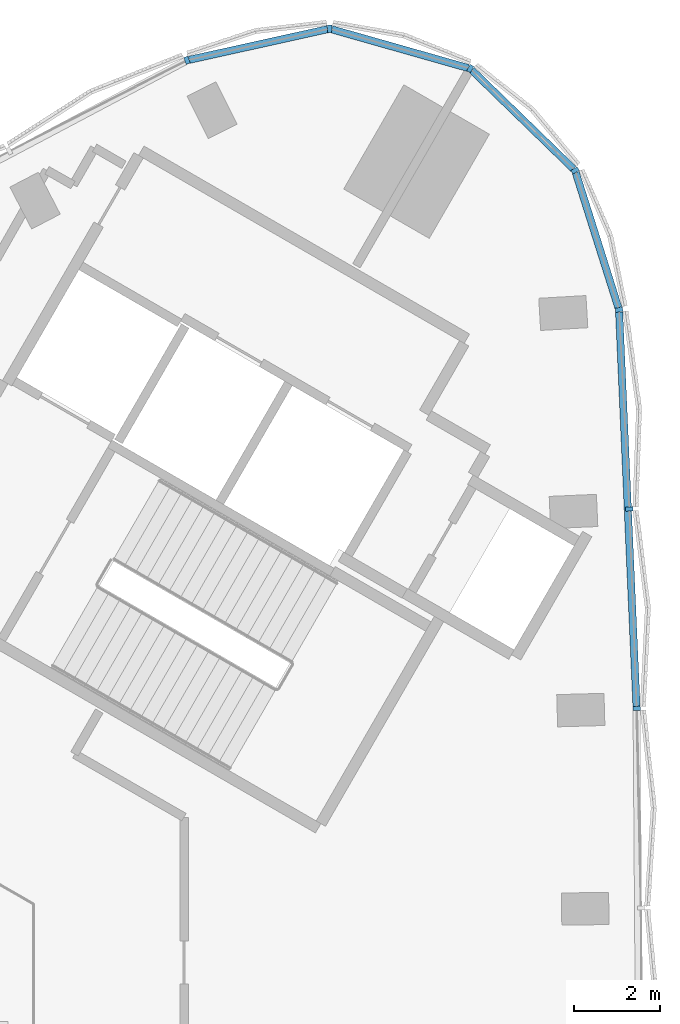
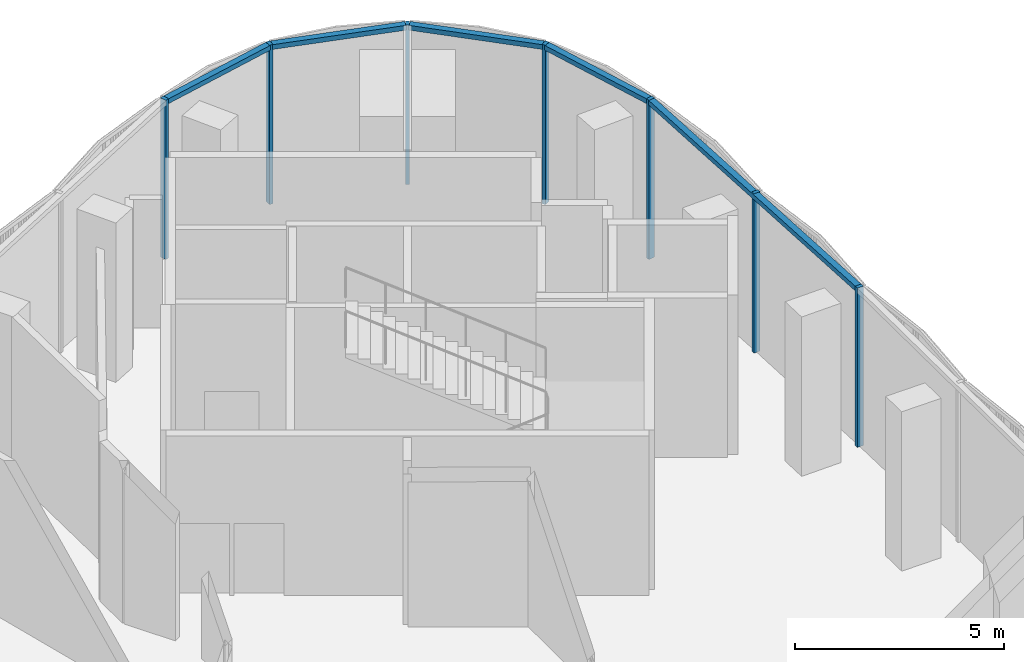
# One storey, part 5 of 15: 12 members, 2 elements without a shape of their own.
"""IFC4 building model written with IfcOpenShell, lengths in metres."""

import ifcopenshell
import ifcopenshell.guid

model = None  # the IFC model being written
_history = None  # IfcOwnerHistory: only IFC2X3 demands one
_inside = {}  # id of a spatial element -> (the spatial element, [elements in it])
_under = {}  # id of a project, library or spatial element -> (it, [spatial elements below it])
_declared = {}  # id of a project -> (the project, [libraries it declares])
_typed = {}  # id of a type object -> (the type object, [elements of that type])
_made_of = {}  # id of a material, layer set ... -> (it, [elements and type objects made of it])


def new_model(schema):
    """Start an empty IFC model of exactly this schema.

    Asked for "IFC4X3", IfcOpenShell would pick the latest addendum, in which some entities
    have other attributes; the version numbers below select the first issue.
    IFC2X3 requires an IfcOwnerHistory on every rooted entity: one is made here for all.
    """
    global model, _history
    if schema == "IFC4X3":
        model = ifcopenshell.file(schema_version=(4, 3, 0, 0))
    else:
        model = ifcopenshell.file(schema=schema)
    _inside.clear()
    _under.clear()
    _declared.clear()
    _typed.clear()
    _made_of.clear()
    _history = None
    if model.schema == "IFC2X3":
        org = make("IfcOrganization", Name="unknown")
        user = make(
            "IfcPersonAndOrganization",
            ThePerson=make("IfcPerson", FamilyName="unknown"),
            TheOrganization=org,
        )
        app = make(
            "IfcApplication",
            ApplicationDeveloper=org,
            Version="unknown",
            ApplicationFullName="unknown",
            ApplicationIdentifier="unknown",
        )
        _history = make(
            "IfcOwnerHistory",
            OwningUser=user,
            OwningApplication=app,
            ChangeAction="ADDED",
            CreationDate=0,
        )
    return model


def make(cls, **values):
    """One entity of the class cls with the attributes given. An attribute that is None is left unset."""
    return model.create_entity(
        cls, **{name: value for name, value in values.items() if value is not None}
    )


def rooted(cls, **values):
    """An entity with a GlobalId (a new one), such as an element, a storey or a relation."""
    return make(cls, GlobalId=ifcopenshell.guid.new(), OwnerHistory=_history, **values)


def si_unit(unit_type, name, prefix=None):
    """IfcSIUnit, for example si_unit("LENGTHUNIT", "METRE", prefix="MILLI")."""
    return make("IfcSIUnit", UnitType=unit_type, Prefix=prefix, Name=name)


def assignment(units):
    """IfcUnitAssignment: the units of a project."""
    return None if units is None else make("IfcUnitAssignment", Units=units)


def point(xyz):
    """IfcCartesianPoint."""
    return None if xyz is None else make("IfcCartesianPoint", Coordinates=xyz)


def direction(xyz):
    """IfcDirection."""
    return None if xyz is None else make("IfcDirection", DirectionRatios=xyz)


def frame(location, z_axis=None, x_axis=None):
    """IfcAxis2Placement3D, a coordinate frame: its origin and axes. An axis left out is left unset."""
    return make(
        "IfcAxis2Placement3D",
        Location=point(location),
        Axis=direction(z_axis),
        RefDirection=direction(x_axis),
    )


def frame_2d(location, x_axis=None):
    """IfcAxis2Placement2D, a coordinate frame in the plane: its origin and x axis."""
    return make(
        "IfcAxis2Placement2D", Location=point(location), RefDirection=direction(x_axis)
    )


def origin():
    """The frame at (0, 0, 0) with its axes left unset."""
    return frame((0.0, 0.0, 0.0))


def origin_2d():
    """The frame at (0, 0) in the plane with its x axis left unset."""
    return frame_2d((0.0, 0.0))


def place(relative_to, where):
    """IfcLocalPlacement: puts the frame where relative to a parent placement (None: the world)."""
    return make(
        "IfcLocalPlacement", PlacementRelTo=relative_to, RelativePlacement=where
    )


def context(
    kind, dimensions, precision=None, world=None, true_north=None, identifier=None
):
    """IfcGeometricRepresentationContext, for example the 3D "Model" context."""
    return make(
        "IfcGeometricRepresentationContext",
        ContextIdentifier=identifier,
        ContextType=kind,
        CoordinateSpaceDimension=dimensions,
        Precision=precision,
        WorldCoordinateSystem=world,
        TrueNorth=true_north,
    )


def subcontext(parent, identifier, kind, view, scale=None):
    """IfcGeometricRepresentationSubContext, for example "Body" below "Model"."""
    return make(
        "IfcGeometricRepresentationSubContext",
        ContextIdentifier=identifier,
        ContextType=kind,
        ParentContext=parent,
        TargetScale=scale,
        TargetView=view,
    )


def project(units=None, contexts=None):
    """IfcProject with its units and contexts."""
    return rooted(
        "IfcProject",
        Name="project",
        RepresentationContexts=contexts,
        UnitsInContext=assignment(units),
    )


def spatial(cls, under=None, at=None, **own):
    """A site, building, storey or space (cls), placed at a placement, below another one or the project."""
    s = rooted(cls, ObjectPlacement=at, **own)
    if under is not None:
        _under.setdefault(under.id(), (under, []))[1].append(s)
    return s


def profile(cls, at=None, kind="AREA", **sizes):
    """A parametric profile (cls). Its sizes go by their IFC names, for example OverallWidth=200.0."""
    return make(cls, ProfileType=kind, Position=at, **sizes)


def rectangle(**sizes):
    """IfcRectangleProfileDef."""
    return profile("IfcRectangleProfileDef", **sizes)


def extrude(swept, where, along, depth):
    """IfcExtrudedAreaSolid: the profile swept, set in the frame where, extruded along a direction by depth."""
    return make(
        "IfcExtrudedAreaSolid",
        SweptArea=swept,
        Position=where,
        ExtrudedDirection=direction(along),
        Depth=depth,
    )


def shape(context_of_items, identifier, shape_type, items):
    """IfcShapeRepresentation: the items that make up one representation, for example the "Body"."""
    return make(
        "IfcShapeRepresentation",
        ContextOfItems=context_of_items,
        RepresentationIdentifier=identifier,
        RepresentationType=shape_type,
        Items=items,
    )


def material(Name=None, Category=None):
    """IfcMaterial."""
    return make("IfcMaterial", Name=Name, Category=Category)


def material_profile(
    of_material, cross_section, Name=None, Category=None, Priority=None
):
    """IfcMaterialProfile: a cross section and its material."""
    return make(
        "IfcMaterialProfile",
        Name=Name,
        Material=of_material,
        Profile=cross_section,
        Priority=Priority,
        Category=Category,
    )


def profile_set(profiles, Name=None, composite=None):
    """IfcMaterialProfileSet."""
    return make(
        "IfcMaterialProfileSet",
        Name=Name,
        MaterialProfiles=profiles,
        CompositeProfile=composite,
    )


def made_of(thing, what):
    """Note that an element or type object is made of a material, layer set ...; save() writes the relation."""
    if what is not None:
        _made_of.setdefault(what.id(), (what, []))[1].append(thing)
    return thing


def type_object(cls, material=None, **own):
    """A type object (cls), such as IfcWallType, which elements share."""
    return made_of(rooted(cls, **own), material)


def element(
    cls,
    number,
    at=None,
    inside=None,
    cuts=None,
    type_object=None,
    material=None,
    context=None,
    identifier="Body",
    shape_type=None,
    held_by="IfcProductDefinitionShape",
    body=None,
    shapes=None,
    **own,
):
    """One element of the class cls, such as IfcWall. Its Tag is "e" and its number.

    at: its placement. inside: the storey or other place that contains it. cuts: it is an
    opening in that element (IfcRelVoidsElement). A single representation is given by context,
    identifier, shape_type and body (its items); several are given by shapes. held_by: the class
    of the entity that holds the representations. save() writes the other relations.
    """
    e = rooted(cls, Tag="e%d" % number, ObjectPlacement=at, **own)
    if body is not None:
        shapes = [shape(context, identifier, shape_type, body)]
    if shapes is not None:
        e.Representation = make(held_by, Representations=shapes)
    if inside is not None:
        _inside.setdefault(inside.id(), (inside, []))[1].append(e)
    if cuts is not None:
        rooted(
            "IfcRelVoidsElement", RelatingBuildingElement=cuts, RelatedOpeningElement=e
        )
    if type_object is not None:
        _typed.setdefault(type_object.id(), (type_object, []))[1].append(e)
    return made_of(e, material)


def aggregate(whole, parts):
    """IfcRelAggregates: a whole, such as a stair, and the parts it consists of."""
    return rooted("IfcRelAggregates", RelatingObject=whole, RelatedObjects=parts)


def save(model, path):
    """Write the relations noted so far, then the file.

    IfcRelAggregates (storeys below a building ...), IfcRelContainedInSpatialStructure (elements
    in a storey), IfcRelDefinesByType, IfcRelAssociatesMaterial and IfcRelDeclares: one each for
    every whole, place, type object, material and project.
    """
    for whole, parts in _under.values():
        aggregate(whole, parts)
    for where, things in _inside.values():
        rooted(
            "IfcRelContainedInSpatialStructure",
            RelatedElements=things,
            RelatingStructure=where,
        )
    for kind, things in _typed.values():
        rooted("IfcRelDefinesByType", RelatedObjects=things, RelatingType=kind)
    for what, things in _made_of.values():
        rooted("IfcRelAssociatesMaterial", RelatedObjects=things, RelatingMaterial=what)
    for by, libraries in _declared.values():
        rooted("IfcRelDeclares", RelatingContext=by, RelatedDefinitions=libraries)
    model.write(path)


model = new_model("IFC4")

# Units and contexts
model_context = context("Model", 3, precision=1e-05, world=origin(), true_north=direction((0.0, 1.0)))
body_context = subcontext(model_context, "Body", "Model", "MODEL_VIEW")
ifc_project = project(units=[si_unit("LENGTHUNIT", "METRE"), si_unit("AREAUNIT", "SQUARE_METRE"), si_unit("VOLUMEUNIT", "CUBIC_METRE"), si_unit("PLANEANGLEUNIT", "RADIAN"), si_unit("MASSUNIT", "GRAM", prefix="KILO")], contexts=[model_context])

# Site, building, storey
site_placement = place(None, origin())
site = spatial("IfcSite", under=ifc_project, at=site_placement, CompositionType="ELEMENT")
building_placement = place(site_placement, origin())
building = spatial("IfcBuilding", under=site, at=building_placement, Name="Tamra Quay Hotel Tower", CompositionType="ELEMENT")
storey_placement = place(building_placement, frame((0.0, 0.0, 216.39990234375)))
storey = spatial("IfcBuildingStorey", under=building, at=storey_placement, Name="L54", CompositionType="ELEMENT", Elevation=216.39990234375)

# Curtain wall, members
ifc_material = material(Name="Aluminium 6063 anodised dark grey", Category="aluminium")
curtain_wall_type_1 = type_object("IfcCurtainWallType", Name="CW1 CURTAIN WALL", PredefinedType="NOTDEFINED", material=ifc_material)
curtain_wall_1_placement = place(storey_placement, origin())
curtain_wall_1 = element("IfcCurtainWall", 1, at=curtain_wall_1_placement, inside=storey, type_object=curtain_wall_type_1, Name="CW1 east face L54", PredefinedType="NOTDEFINED")
ifc_material_profile_1 = material_profile(ifc_material, rectangle(XDim=0.169921875, YDim=0.10009765625, at=origin_2d()), Name="MULLION 100X170")
ifc_profile_set_1 = profile_set([ifc_material_profile_1], Name="Aluminium 6063 anodised dark grey")
member_type_1 = type_object("IfcMemberType", Name="MULLION CW1 Z5", PredefinedType="MULLION", material=ifc_profile_set_1)
member_1_placement = place(storey_placement, frame((17.832763671875, 9.287353515625, 0.0), z_axis=(0.0, 0.0, 1.0), x_axis=(0.999567588252, 0.029404702264, 0.0)))
member_1 = element("IfcMember", 2, at=member_1_placement, type_object=member_type_1, Name="CW1 mullion L54.E.7", PredefinedType="MULLION", context=body_context, shape_type="SweptSolid", body=[
    extrude(rectangle(XDim=0.169921875, YDim=0.10009765625, at=origin_2d()), origin(), (0.0, 0.0, 1.0), 4.650146484375),
])
member_2_placement = place(storey_placement, frame((17.662109375, 13.9287109375, 0.0), z_axis=(0.0, 0.0, 1.0), x_axis=(0.999028207365, 0.044075400048, 0.0)))
member_2 = element("IfcMember", 3, at=member_2_placement, type_object=member_type_1, Name="CW1 mullion L54.E.8", PredefinedType="MULLION", context=body_context, shape_type="SweptSolid", body=[
    extrude(rectangle(XDim=0.169921875, YDim=0.10009765625, at=origin_2d()), origin(), (0.0, 0.0, 1.0), 4.650146484375),
])
member_3_placement = place(storey_placement, frame((17.42333984375, 18.56689453125, 0.0), z_axis=(0.0, 0.0, 1.0), x_axis=(0.984105305588, 0.177585887711, 0.0)))
member_3 = element("IfcMember", 4, at=member_3_placement, type_object=member_type_1, Name="CW1 mullion L54.E.9", PredefinedType="MULLION", context=body_context, shape_type="SweptSolid", body=[
    extrude(rectangle(XDim=0.169921875, YDim=0.10009765625, at=origin_2d()), origin(), (0.0, 0.0, 1.0), 4.650146484375),
])
member_4_placement = place(storey_placement, frame((16.39990234375, 21.810302734375, 0.0), z_axis=(0.0, 0.0, 1.0), x_axis=(0.851044298206, 0.525093898736, 0.0)))
member_4 = element("IfcMember", 5, at=member_4_placement, type_object=member_type_1, Name="CW1 mullion L54.E.10", PredefinedType="MULLION", context=body_context, shape_type="SweptSolid", body=[
    extrude(rectangle(XDim=0.169921875, YDim=0.10009765625, at=origin_2d()), origin(), (0.0, 0.0, 1.0), 4.650146484375),
])
member_5_placement = place(storey_placement, frame((13.960205078125, 24.1796875, 0.0), z_axis=(0.0, 0.0, 1.0), x_axis=(0.5, 0.866025403784, 0.0)))
member_5 = element("IfcMember", 6, at=member_5_placement, type_object=member_type_1, Name="CW1 mullion L54.E.11", PredefinedType="MULLION", context=body_context, shape_type="SweptSolid", body=[
    extrude(rectangle(XDim=0.169921875, YDim=0.10009765625, at=origin_2d()), origin(), (0.0, 0.0, 1.0), 4.650146484375),
])
member_6_placement = place(storey_placement, frame((10.688232421875, 25.10791015625, 0.0), z_axis=(0.0, 0.0, 1.0), x_axis=(0.029222506575, 0.999572931361, 0.0)))
member_6 = element("IfcMember", 7, at=member_6_placement, type_object=member_type_1, Name="CW1 mullion L54.E.12", PredefinedType="MULLION", context=body_context, shape_type="SweptSolid", body=[
    extrude(rectangle(XDim=0.169921875, YDim=0.10009765625, at=origin_2d()), origin(), (0.0, 0.0, 1.0), 4.650146484375),
])

# Curtain wall, member
curtain_wall_type_2 = type_object("IfcCurtainWallType", Name="CW2 CURTAIN WALL", PredefinedType="NOTDEFINED", material=ifc_material)
curtain_wall_2_placement = place(storey_placement, origin())
curtain_wall_2 = element("IfcCurtainWall", 8, at=curtain_wall_2_placement, inside=storey, type_object=curtain_wall_type_2, Name="CW2 north-west face L54", PredefinedType="NOTDEFINED")
ifc_material_profile_2 = material_profile(ifc_material, rectangle(XDim=0.169921875, YDim=0.10009765625, at=origin_2d()), Name="MULLION 100X170")
ifc_profile_set_2 = profile_set([ifc_material_profile_2], Name="Aluminium 6063 anodised dark grey")
member_type_2 = type_object("IfcMemberType", Name="MULLION CW2 Z5", PredefinedType="MULLION", material=ifc_profile_set_2)
member_7_placement = place(storey_placement, frame((7.36767578125, 24.37255859375, 0.0), z_axis=(0.0, 0.0, 1.0), x_axis=(-0.338258762682, 0.941053138494, 0.0)))
member_7 = element("IfcMember", 9, at=member_7_placement, type_object=member_type_2, Name="CW2 mullion L54.NW.1", PredefinedType="MULLION", context=body_context, shape_type="SweptSolid", body=[
    extrude(rectangle(XDim=0.169921875, YDim=0.10009765625, at=origin_2d()), origin(), (0.0, 0.0, 1.0), 4.650146484375),
])
aggregate(curtain_wall_2, [member_7])

# Member
ifc_material_profile_3 = material_profile(ifc_material, rectangle(XDim=0.169921875, YDim=0.139892578125, at=origin_2d()), Name="TRANSOM 170X140")
ifc_profile_set_3 = profile_set([ifc_material_profile_3], Name="Aluminium 6063 anodised dark grey")
member_type_3 = type_object("IfcMemberType", Name="TRANSOM CW1 Z5", PredefinedType="USERDEFINED", material=ifc_profile_set_3)
member_8_placement = place(storey_placement, frame((17.830810546875, 9.337158203125, 4.580078125), z_axis=(-0.044079454767, 0.999028028469, 0.0), x_axis=(-0.999028028469, -0.044079454767, 0.0)))
member_8 = element("IfcMember", 10, at=member_8_placement, type_object=member_type_3, Name="CW1 transom L54.E.7", ObjectType="TRANSOM", PredefinedType="USERDEFINED", context=body_context, shape_type="SweptSolid", body=[
    extrude(rectangle(XDim=0.169921875, YDim=0.139892578125, at=origin_2d()), origin(), (0.0, 0.0, 1.0), 9.188720703125),
])

member_9_placement = place(storey_placement, frame((17.408203125, 18.614501953125, 4.580078125), z_axis=(-0.300855275674, 0.953669808214, 0.0), x_axis=(-0.953669808214, -0.300855275674, 0.0)))
member_9 = element("IfcMember", 11, at=member_9_placement, type_object=member_type_3, Name="CW1 transom L54.E.9", ObjectType="TRANSOM", PredefinedType="USERDEFINED", context=body_context, shape_type="SweptSolid", body=[
    extrude(rectangle(XDim=0.169921875, YDim=0.139892578125, at=origin_2d()), origin(), (0.0, 0.0, 1.0), 3.301025390625),
])

member_10_placement = place(storey_placement, frame((16.364013671875, 21.84521484375, 4.580078125), z_axis=(-0.71734908277, 0.696713925115, 0.0), x_axis=(-0.696713925115, -0.71734908277, 0.0)))
member_10 = element("IfcMember", 12, at=member_10_placement, type_object=member_type_3, Name="CW1 transom L54.E.10", ObjectType="TRANSOM", PredefinedType="USERDEFINED", context=body_context, shape_type="SweptSolid", body=[
    extrude(rectangle(XDim=0.169921875, YDim=0.139892578125, at=origin_2d()), origin(), (0.0, 0.0, 1.0), 3.301025390625),
])

member_11_placement = place(storey_placement, frame((13.912109375, 24.193359375, 4.580078125), z_axis=(-0.962041330224, 0.272903790631, 0.0), x_axis=(-0.272903790631, -0.962041330224, 0.0)))
member_11 = element("IfcMember", 13, at=member_11_placement, type_object=member_type_3, Name="CW1 transom L54.E.11", ObjectType="TRANSOM", PredefinedType="USERDEFINED", context=body_context, shape_type="SweptSolid", body=[
    extrude(rectangle(XDim=0.169921875, YDim=0.139892578125, at=origin_2d()), origin(), (0.0, 0.0, 1.0), 3.301025390625),
])

member_12_placement = place(storey_placement, frame((10.639404296875, 25.09716796875, 4.580078125), z_axis=(-0.976336486658, -0.21625694167, 0.0), x_axis=(0.21625694167, -0.976336486658, 0.0)))
member_12 = element("IfcMember", 14, at=member_12_placement, type_object=member_type_3, Name="CW1 transom L54.E.12", ObjectType="TRANSOM", PredefinedType="USERDEFINED", context=body_context, shape_type="SweptSolid", body=[
    extrude(rectangle(XDim=0.169921875, YDim=0.139892578125, at=origin_2d()), origin(), (0.0, 0.0, 1.0), 3.301025390625),
])

aggregate(curtain_wall_1, [member_1, member_8, member_2, member_3, member_9, member_4, member_10, member_5, member_11, member_6, member_12])

save(model, "model.ifc")
